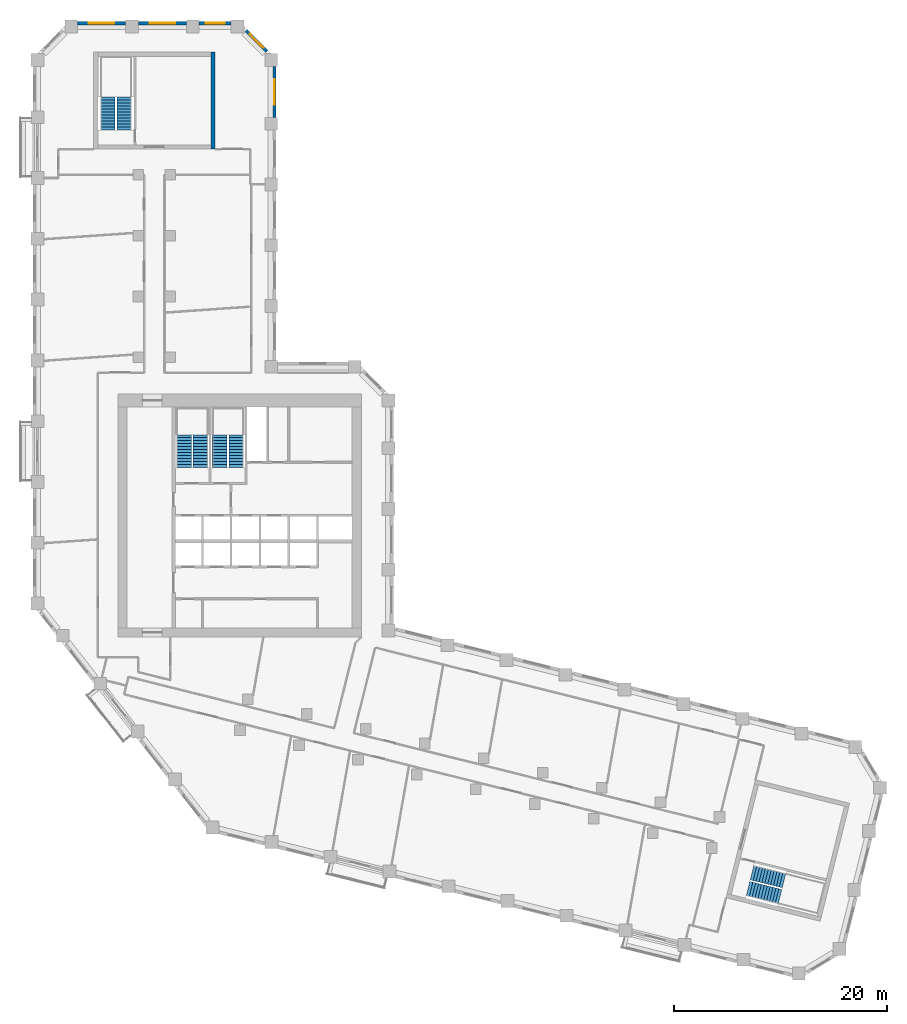
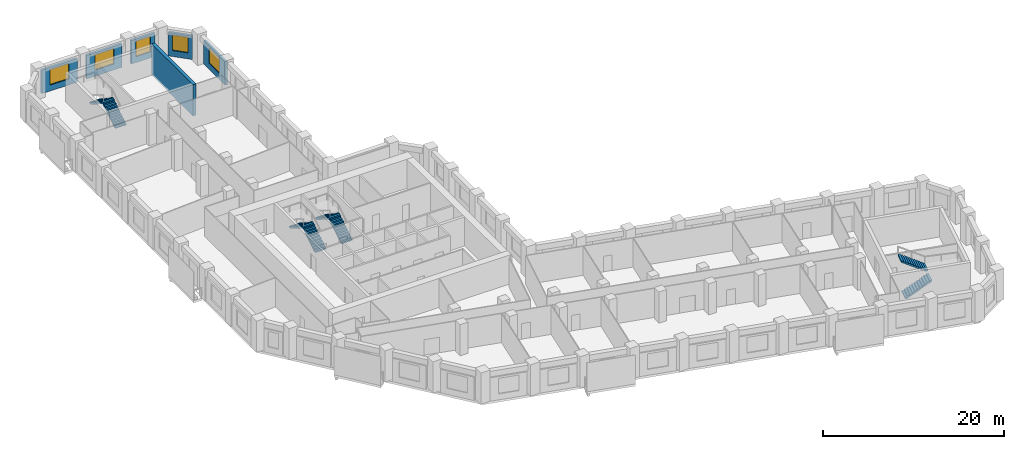
# One storey, part 9 of 10: 8 stair flights, 6 walls, 5 windows, 5 openings, 4 elements without a shape of their own.
"""IFC4 building model written with IfcOpenShell, lengths in metres."""

import ifcopenshell
import ifcopenshell.guid

model = None  # the IFC model being written
_history = None  # IfcOwnerHistory: only IFC2X3 demands one
_inside = {}  # id of a spatial element -> (the spatial element, [elements in it])
_under = {}  # id of a project, library or spatial element -> (it, [spatial elements below it])
_declared = {}  # id of a project -> (the project, [libraries it declares])
_typed = {}  # id of a type object -> (the type object, [elements of that type])
_made_of = {}  # id of a material, layer set ... -> (it, [elements and type objects made of it])


def new_model(schema):
    """Start an empty IFC model of exactly this schema.

    Asked for "IFC4X3", IfcOpenShell would pick the latest addendum, in which some entities
    have other attributes; the version numbers below select the first issue.
    IFC2X3 requires an IfcOwnerHistory on every rooted entity: one is made here for all.
    """
    global model, _history
    if schema == "IFC4X3":
        model = ifcopenshell.file(schema_version=(4, 3, 0, 0))
    else:
        model = ifcopenshell.file(schema=schema)
    _inside.clear()
    _under.clear()
    _declared.clear()
    _typed.clear()
    _made_of.clear()
    _history = None
    if model.schema == "IFC2X3":
        org = make("IfcOrganization", Name="unknown")
        user = make(
            "IfcPersonAndOrganization",
            ThePerson=make("IfcPerson", FamilyName="unknown"),
            TheOrganization=org,
        )
        app = make(
            "IfcApplication",
            ApplicationDeveloper=org,
            Version="unknown",
            ApplicationFullName="unknown",
            ApplicationIdentifier="unknown",
        )
        _history = make(
            "IfcOwnerHistory",
            OwningUser=user,
            OwningApplication=app,
            ChangeAction="ADDED",
            CreationDate=0,
        )
    return model


def make(cls, **values):
    """One entity of the class cls with the attributes given. An attribute that is None is left unset."""
    return model.create_entity(
        cls, **{name: value for name, value in values.items() if value is not None}
    )


def rooted(cls, **values):
    """An entity with a GlobalId (a new one), such as an element, a storey or a relation."""
    return make(cls, GlobalId=ifcopenshell.guid.new(), OwnerHistory=_history, **values)


def si_unit(unit_type, name, prefix=None):
    """IfcSIUnit, for example si_unit("LENGTHUNIT", "METRE", prefix="MILLI")."""
    return make("IfcSIUnit", UnitType=unit_type, Prefix=prefix, Name=name)


def assignment(units):
    """IfcUnitAssignment: the units of a project."""
    return None if units is None else make("IfcUnitAssignment", Units=units)


def point(xyz):
    """IfcCartesianPoint."""
    return None if xyz is None else make("IfcCartesianPoint", Coordinates=xyz)


def direction(xyz):
    """IfcDirection."""
    return None if xyz is None else make("IfcDirection", DirectionRatios=xyz)


def frame(location, z_axis=None, x_axis=None):
    """IfcAxis2Placement3D, a coordinate frame: its origin and axes. An axis left out is left unset."""
    return make(
        "IfcAxis2Placement3D",
        Location=point(location),
        Axis=direction(z_axis),
        RefDirection=direction(x_axis),
    )


def frame_2d(location, x_axis=None):
    """IfcAxis2Placement2D, a coordinate frame in the plane: its origin and x axis."""
    return make(
        "IfcAxis2Placement2D", Location=point(location), RefDirection=direction(x_axis)
    )


def origin():
    """The frame at (0, 0, 0) with its axes left unset."""
    return frame((0.0, 0.0, 0.0))


def place(relative_to, where):
    """IfcLocalPlacement: puts the frame where relative to a parent placement (None: the world)."""
    return make(
        "IfcLocalPlacement", PlacementRelTo=relative_to, RelativePlacement=where
    )


def context(
    kind, dimensions, precision=None, world=None, true_north=None, identifier=None
):
    """IfcGeometricRepresentationContext, for example the 3D "Model" context."""
    return make(
        "IfcGeometricRepresentationContext",
        ContextIdentifier=identifier,
        ContextType=kind,
        CoordinateSpaceDimension=dimensions,
        Precision=precision,
        WorldCoordinateSystem=world,
        TrueNorth=true_north,
    )


def subcontext(parent, identifier, kind, view, scale=None):
    """IfcGeometricRepresentationSubContext, for example "Body" below "Model"."""
    return make(
        "IfcGeometricRepresentationSubContext",
        ContextIdentifier=identifier,
        ContextType=kind,
        ParentContext=parent,
        TargetScale=scale,
        TargetView=view,
    )


def project(units=None, contexts=None):
    """IfcProject with its units and contexts."""
    return rooted(
        "IfcProject",
        Name="project",
        RepresentationContexts=contexts,
        UnitsInContext=assignment(units),
    )


def spatial(cls, under=None, at=None, **own):
    """A site, building, storey or space (cls), placed at a placement, below another one or the project."""
    s = rooted(cls, ObjectPlacement=at, **own)
    if under is not None:
        _under.setdefault(under.id(), (under, []))[1].append(s)
    return s


def polyline(points):
    """IfcPolyline through the points."""
    return make("IfcPolyline", Points=[point(p) for p in points])


def profile(cls, at=None, kind="AREA", **sizes):
    """A parametric profile (cls). Its sizes go by their IFC names, for example OverallWidth=200.0."""
    return make(cls, ProfileType=kind, Position=at, **sizes)


def rectangle(**sizes):
    """IfcRectangleProfileDef."""
    return profile("IfcRectangleProfileDef", **sizes)


def outline(outer, holes=None, kind="AREA"):
    """IfcArbitraryClosedProfileDef: a profile drawn as a closed curve; with holes, ...WithVoids."""
    if holes is None:
        return make("IfcArbitraryClosedProfileDef", ProfileType=kind, OuterCurve=outer)
    return make(
        "IfcArbitraryProfileDefWithVoids",
        ProfileType=kind,
        OuterCurve=outer,
        InnerCurves=holes,
    )


def extrude(swept, where, along, depth):
    """IfcExtrudedAreaSolid: the profile swept, set in the frame where, extruded along a direction by depth."""
    return make(
        "IfcExtrudedAreaSolid",
        SweptArea=swept,
        Position=where,
        ExtrudedDirection=direction(along),
        Depth=depth,
    )


def shape(context_of_items, identifier, shape_type, items):
    """IfcShapeRepresentation: the items that make up one representation, for example the "Body"."""
    return make(
        "IfcShapeRepresentation",
        ContextOfItems=context_of_items,
        RepresentationIdentifier=identifier,
        RepresentationType=shape_type,
        Items=items,
    )


def material(Name=None, Category=None):
    """IfcMaterial."""
    return make("IfcMaterial", Name=Name, Category=Category)


def layer(
    of_material, thickness, ventilated=None, Name=None, Category=None, Priority=None
):
    """IfcMaterialLayer: one layer of a wall or slab, of a material (None: an air gap)."""
    return make(
        "IfcMaterialLayer",
        Material=of_material,
        LayerThickness=thickness,
        IsVentilated=ventilated,
        Name=Name,
        Category=Category,
        Priority=Priority,
    )


def layer_set(layers, Name=None):
    """IfcMaterialLayerSet."""
    return make("IfcMaterialLayerSet", MaterialLayers=layers, LayerSetName=Name)


def made_of(thing, what):
    """Note that an element or type object is made of a material, layer set ...; save() writes the relation."""
    if what is not None:
        _made_of.setdefault(what.id(), (what, []))[1].append(thing)
    return thing


def type_object(cls, material=None, **own):
    """A type object (cls), such as IfcWallType, which elements share."""
    return made_of(rooted(cls, **own), material)


def element(
    cls,
    number,
    at=None,
    inside=None,
    cuts=None,
    type_object=None,
    material=None,
    context=None,
    identifier="Body",
    shape_type=None,
    held_by="IfcProductDefinitionShape",
    body=None,
    shapes=None,
    **own,
):
    """One element of the class cls, such as IfcWall. Its Tag is "e" and its number.

    at: its placement. inside: the storey or other place that contains it. cuts: it is an
    opening in that element (IfcRelVoidsElement). A single representation is given by context,
    identifier, shape_type and body (its items); several are given by shapes. held_by: the class
    of the entity that holds the representations. save() writes the other relations.
    """
    e = rooted(cls, Tag="e%d" % number, ObjectPlacement=at, **own)
    if body is not None:
        shapes = [shape(context, identifier, shape_type, body)]
    if shapes is not None:
        e.Representation = make(held_by, Representations=shapes)
    if inside is not None:
        _inside.setdefault(inside.id(), (inside, []))[1].append(e)
    if cuts is not None:
        rooted(
            "IfcRelVoidsElement", RelatingBuildingElement=cuts, RelatedOpeningElement=e
        )
    if type_object is not None:
        _typed.setdefault(type_object.id(), (type_object, []))[1].append(e)
    return made_of(e, material)


def fill(opening, filler):
    """IfcRelFillsElement: the door or window that sits in an opening."""
    return rooted(
        "IfcRelFillsElement",
        RelatingOpeningElement=opening,
        RelatedBuildingElement=filler,
    )


def aggregate(whole, parts):
    """IfcRelAggregates: a whole, such as a stair, and the parts it consists of."""
    return rooted("IfcRelAggregates", RelatingObject=whole, RelatedObjects=parts)


def save(model, path):
    """Write the relations noted so far, then the file.

    IfcRelAggregates (storeys below a building ...), IfcRelContainedInSpatialStructure (elements
    in a storey), IfcRelDefinesByType, IfcRelAssociatesMaterial and IfcRelDeclares: one each for
    every whole, place, type object, material and project.
    """
    for whole, parts in _under.values():
        aggregate(whole, parts)
    for where, things in _inside.values():
        rooted(
            "IfcRelContainedInSpatialStructure",
            RelatedElements=things,
            RelatingStructure=where,
        )
    for kind, things in _typed.values():
        rooted("IfcRelDefinesByType", RelatedObjects=things, RelatingType=kind)
    for what, things in _made_of.values():
        rooted("IfcRelAssociatesMaterial", RelatedObjects=things, RelatingMaterial=what)
    for by, libraries in _declared.values():
        rooted("IfcRelDeclares", RelatingContext=by, RelatedDefinitions=libraries)
    model.write(path)


model = new_model("IFC4")

# Units and contexts
model_context = context("Model", 3, precision=1e-05, world=origin(), true_north=direction((0.0, 1.0)))
body_context = subcontext(model_context, "Body", "Model", "MODEL_VIEW")
ifc_project = project(units=[si_unit("LENGTHUNIT", "METRE"), si_unit("AREAUNIT", "SQUARE_METRE"), si_unit("VOLUMEUNIT", "CUBIC_METRE"), si_unit("PLANEANGLEUNIT", "RADIAN"), si_unit("MASSUNIT", "GRAM", prefix="KILO")], contexts=[model_context])

# Site, building, storey
site_placement = place(None, origin())
site = spatial("IfcSite", under=ifc_project, at=site_placement, CompositionType="ELEMENT")
building_placement = place(site_placement, origin())
building = spatial("IfcBuilding", under=site, at=building_placement, Name="Meshkara Civic Tower", CompositionType="ELEMENT")
storey_placement = place(building_placement, frame((0.0, 0.0, 207.60009765625)))
storey = spatial("IfcBuildingStorey", under=building, at=storey_placement, Name="L47", CompositionType="ELEMENT", Elevation=207.60009765625)

# Wall, opening, window
ifc_material_1 = material(Name="Insulated infill panel with bronze anodised aluminium cladding", Category="aluminium")
ifc_layer_1 = layer(ifc_material_1, 0.300048828125)
ifc_layer_set_1 = layer_set([ifc_layer_1], Name="EXTERNAL INFILL WALL 300")
wall_type_1 = type_object("IfcWallType", Name="EXTERNAL INFILL WALL 300", PredefinedType="SOLIDWALL", material=ifc_layer_set_1)
wall_1_placement = place(storey_placement, frame((22.64990234375, 62.85009765625, 0.0), z_axis=(0.0, 0.0, 1.0), x_axis=(0.0, 1.0, 0.0)))
wall_1 = element("IfcWall", 1, at=wall_1_placement, inside=storey, type_object=wall_type_1, Name="External wall", PredefinedType="SOLIDWALL", context=body_context, shape_type="SweptSolid", body=[
    extrude(rectangle(XDim=4.763916015625, YDim=0.300048828125, at=frame_2d((2.3818359375, 0.0))), origin(), (0.0, 0.0, 1.0), 3.14990234375),
])
opening_1_placement = place(wall_1_placement, frame((1.181884765625, 0.0, 0.800048828125)))
opening_1 = element("IfcOpeningElement", 2, at=opening_1_placement, cuts=wall_1, Name="Opening W7", PredefinedType="OPENING", context=body_context, shape_type="SweptSolid", body=[
    extrude(rectangle(XDim=2.39990234375, YDim=2.10009765625, at=frame_2d((1.199951171875, 1.050048828125))), frame((0.0, 0.159912109375, 0.0), z_axis=(0.0, -1.0, 0.0), x_axis=(1.0, 0.0, 0.0)), (0.0, 0.0, 1.0), 0.320068359375),
])
ifc_material_2 = material(Name="Tinted double glazing", Category="glass")
window_type_1 = type_object("IfcWindowType", Name="WINDOW 2400x2100", PartitioningType="DOUBLE_PANEL_VERTICAL", PredefinedType="WINDOW", material=ifc_material_2)
window_1_placement = place(opening_1_placement, origin())
window_1 = element("IfcWindow", 3, at=window_1_placement, inside=storey, type_object=window_type_1, Name="Window", OverallHeight=2.10009765625, OverallWidth=2.39990234375, PartitioningType="DOUBLE_PANEL_VERTICAL", PredefinedType="WINDOW", context=body_context, shape_type="SweptSolid", body=[
    extrude(rectangle(XDim=2.39990234375, YDim=2.10009765625, at=frame_2d((1.199951171875, 1.050048828125))), frame((0.0, 0.030029296875, 0.0), z_axis=(0.0, -1.0, 0.0), x_axis=(1.0, 0.0, 0.0)), (0.0, 0.0, 1.0), 0.06005859375),
])
fill(opening_1, window_1)

wall_2_placement = place(storey_placement, frame((21.9619140625, 69.02587890625, 0.0), z_axis=(0.0, 0.0, 1.0), x_axis=(-0.707062649074, 0.707150910545, 0.0)))
wall_2 = element("IfcWall", 4, at=wall_2_placement, inside=storey, type_object=wall_type_1, Name="External wall", PredefinedType="SOLIDWALL", context=body_context, shape_type="SweptSolid", body=[
    extrude(rectangle(XDim=2.76611328125, YDim=0.300048828125, at=frame_2d((1.383056640625, 0.0))), origin(), (0.0, 0.0, 1.0), 3.14990234375),
])
opening_2_placement = place(wall_2_placement, frame((0.48291015625, 0.0, 0.800048828125)))
opening_2 = element("IfcOpeningElement", 5, at=opening_2_placement, cuts=wall_2, Name="Opening W9", PredefinedType="OPENING", context=body_context, shape_type="SweptSolid", body=[
    extrude(rectangle(XDim=1.800048828125, YDim=2.10009765625, at=frame_2d((0.89990234375, 1.050048828125))), frame((0.0, 0.159912109375, 0.0), z_axis=(0.0, -1.0, 0.0), x_axis=(1.0, 0.0, 0.0)), (0.0, 0.0, 1.0), 0.320068359375),
])
ifc_material_3 = material(Name="Tinted double glazing", Category="glass")
window_type_2 = type_object("IfcWindowType", Name="WINDOW 1800x2100", PartitioningType="DOUBLE_PANEL_VERTICAL", PredefinedType="WINDOW", material=ifc_material_3)
window_2_placement = place(opening_2_placement, origin())
window_2 = element("IfcWindow", 6, at=window_2_placement, inside=storey, type_object=window_type_2, Name="Window", OverallHeight=2.10009765625, OverallWidth=1.800048828125, PartitioningType="DOUBLE_PANEL_VERTICAL", PredefinedType="WINDOW", context=body_context, shape_type="SweptSolid", body=[
    extrude(rectangle(XDim=1.800048828125, YDim=2.10009765625, at=frame_2d((0.89990234375, 1.050048828125))), frame((0.0, 0.030029296875, 0.0), z_axis=(0.0, -1.0, 0.0), x_axis=(1.0, 0.0, 0.0)), (0.0, 0.0, 1.0), 0.06005859375),
])
fill(opening_2, window_2)

wall_3_placement = place(storey_placement, frame((18.593994140625, 71.669921875, 0.0), z_axis=(0.0, 0.0, 1.0), x_axis=(-1.0, 0.0, 0.0)))
wall_3 = element("IfcWall", 7, at=wall_3_placement, inside=storey, type_object=wall_type_1, Name="External wall", PredefinedType="SOLIDWALL", context=body_context, shape_type="SweptSolid", body=[
    extrude(rectangle(XDim=2.988037109375, YDim=0.300048828125, at=frame_2d((1.494140625, 0.0))), origin(), (0.0, 0.0, 1.0), 3.14990234375),
])
opening_3_placement = place(wall_3_placement, frame((0.593994140625, 0.0, 0.800048828125)))
opening_3 = element("IfcOpeningElement", 8, at=opening_3_placement, cuts=wall_3, Name="Opening W9", PredefinedType="OPENING", context=body_context, shape_type="SweptSolid", body=[
    extrude(rectangle(XDim=1.800048828125, YDim=2.10009765625, at=frame_2d((0.89990234375, 1.050048828125))), frame((0.0, 0.159912109375, 0.0), z_axis=(0.0, -1.0, 0.0), x_axis=(1.0, 0.0, 0.0)), (0.0, 0.0, 1.0), 0.320068359375),
])
window_3_placement = place(opening_3_placement, origin())
window_3 = element("IfcWindow", 9, at=window_3_placement, inside=storey, type_object=window_type_2, Name="Window", OverallHeight=2.10009765625, OverallWidth=1.800048828125, PartitioningType="DOUBLE_PANEL_VERTICAL", PredefinedType="WINDOW", context=body_context, shape_type="SweptSolid", body=[
    extrude(rectangle(XDim=1.800048828125, YDim=2.10009765625, at=frame_2d((0.89990234375, 1.050048828125))), frame((0.0, 0.030029296875, 0.0), z_axis=(0.0, -1.0, 0.0), x_axis=(1.0, 0.0, 0.0)), (0.0, 0.0, 1.0), 0.06005859375),
])
fill(opening_3, window_3)

wall_4_placement = place(storey_placement, frame((14.406005859375, 71.669921875, 0.0), z_axis=(0.0, 0.0, 1.0), x_axis=(-1.0, 0.0, 0.0)))
wall_4 = element("IfcWall", 10, at=wall_4_placement, inside=storey, type_object=wall_type_1, Name="External wall", PredefinedType="SOLIDWALL", context=body_context, shape_type="SweptSolid", body=[
    extrude(rectangle(XDim=4.5, YDim=0.300048828125, at=frame_2d((2.25, 0.0))), origin(), (0.0, 0.0, 1.0), 3.14990234375),
])
opening_4_placement = place(wall_4_placement, frame((1.050048828125, 0.0, 0.800048828125)))
opening_4 = element("IfcOpeningElement", 11, at=opening_4_placement, cuts=wall_4, Name="Opening W7", PredefinedType="OPENING", context=body_context, shape_type="SweptSolid", body=[
    extrude(rectangle(XDim=2.39990234375, YDim=2.10009765625, at=frame_2d((1.199951171875, 1.050048828125))), frame((0.0, 0.159912109375, 0.0), z_axis=(0.0, -1.0, 0.0), x_axis=(1.0, 0.0, 0.0)), (0.0, 0.0, 1.0), 0.320068359375),
])
window_4_placement = place(opening_4_placement, origin())
window_4 = element("IfcWindow", 12, at=window_4_placement, inside=storey, type_object=window_type_1, Name="Window", OverallHeight=2.10009765625, OverallWidth=2.39990234375, PartitioningType="DOUBLE_PANEL_VERTICAL", PredefinedType="WINDOW", context=body_context, shape_type="SweptSolid", body=[
    extrude(rectangle(XDim=2.39990234375, YDim=2.10009765625, at=frame_2d((1.199951171875, 1.050048828125))), frame((0.0, 0.030029296875, 0.0), z_axis=(0.0, -1.0, 0.0), x_axis=(1.0, 0.0, 0.0)), (0.0, 0.0, 1.0), 0.06005859375),
])
fill(opening_4, window_4)

wall_5_placement = place(storey_placement, frame((8.7060546875, 71.669921875, 0.0), z_axis=(0.0, 0.0, 1.0), x_axis=(-1.0, 0.0, 0.0)))
wall_5 = element("IfcWall", 13, at=wall_5_placement, inside=storey, type_object=wall_type_1, Name="External wall", PredefinedType="SOLIDWALL", context=body_context, shape_type="SweptSolid", body=[
    extrude(rectangle(XDim=4.5, YDim=0.300048828125, at=frame_2d((2.25, 0.0))), origin(), (0.0, 0.0, 1.0), 3.14990234375),
])
opening_5_placement = place(wall_5_placement, frame((1.050048828125, 0.0, 0.800048828125)))
opening_5 = element("IfcOpeningElement", 14, at=opening_5_placement, cuts=wall_5, Name="Opening W7", PredefinedType="OPENING", context=body_context, shape_type="SweptSolid", body=[
    extrude(rectangle(XDim=2.39990234375, YDim=2.10009765625, at=frame_2d((1.199951171875, 1.050048828125))), frame((0.0, 0.159912109375, 0.0), z_axis=(0.0, -1.0, 0.0), x_axis=(1.0, 0.0, 0.0)), (0.0, 0.0, 1.0), 0.320068359375),
])
window_5_placement = place(opening_5_placement, origin())
window_5 = element("IfcWindow", 15, at=window_5_placement, inside=storey, type_object=window_type_1, Name="Window", OverallHeight=2.10009765625, OverallWidth=2.39990234375, PartitioningType="DOUBLE_PANEL_VERTICAL", PredefinedType="WINDOW", context=body_context, shape_type="SweptSolid", body=[
    extrude(rectangle(XDim=2.39990234375, YDim=2.10009765625, at=frame_2d((1.199951171875, 1.050048828125))), frame((0.0, 0.030029296875, 0.0), z_axis=(0.0, -1.0, 0.0), x_axis=(1.0, 0.0, 0.0)), (0.0, 0.0, 1.0), 0.06005859375),
])
fill(opening_5, window_5)

# Wall
ifc_material_4 = material(Name="Concrete C70", Category="concrete")
ifc_layer_2 = layer(ifc_material_4, 0.39990234375)
ifc_layer_set_2 = layer_set([ifc_layer_2], Name="End core ring wall 400 C70")
wall_type_2 = type_object("IfcWallType", Name="End core ring wall 400 C70", PredefinedType="SHEAR", material=ifc_layer_set_2)
wall_6_placement = place(storey_placement, frame((16.89990234375, 59.8701171875, -0.300048828125), z_axis=(0.0, 0.0, 1.0), x_axis=(0.0, 1.0, 0.0)))
element("IfcWall", 16, at=wall_6_placement, inside=storey, type_object=wall_type_2, Name="L47-C024", PredefinedType="SHEAR", context=body_context, shape_type="SweptSolid", body=[
    extrude(rectangle(XDim=9.099853515625, YDim=0.39990234375, at=frame_2d((4.5498046875, 0.0))), origin(), (0.0, 0.0, 1.0), 4.199951171875),
])

# Stair, stair flights
ifc_material_5 = material(Name="Precast concrete C40/50", Category="concrete")
stair_type = type_object("IfcStairType", Name="Exit stair half-turn 24 risers precast", PredefinedType="HALF_TURN_STAIR", material=ifc_material_5)
stair_1_placement = place(storey_placement, origin())
stair_1 = element("IfcStair", 17, at=stair_1_placement, inside=storey, type_object=stair_type, Name="L47 exit stair 1", PredefinedType="HALF_TURN_STAIR")
ifc_material_6 = material(Name="Precast concrete C40/50", Category="concrete")
stair_flight_type = type_object("IfcStairFlightType", Name="Exit stair flight 12 risers precast", PredefinedType="STRAIGHT", material=ifc_material_6)
stair_flight_1_placement = place(storey_placement, frame((15.72509765625, 30.0, 0.0), z_axis=(0.0, 0.0, 1.0), x_axis=(0.0, 1.0, 0.0)))
stair_flight_1 = element("IfcStairFlight", 18, at=stair_flight_1_placement, type_object=stair_flight_type, Name="ST1 flight 1", NumberOfRisers=12, NumberOfTreads=11, PredefinedType="STRAIGHT", RiserHeight=0.175, TreadLength=0.28, context=body_context, shape_type="SweptSolid", body=[
    extrude(outline(polyline([(0.0, 0.0), (0.0, 0.175048828125), (0.280029296875, 0.175048828125), (0.280029296875, 0.35009765625), (0.56005859375, 0.35009765625), (0.56005859375, 0.52490234375), (0.840087890625, 0.52490234375), (0.840087890625, 0.699951171875), (1.1201171875, 0.699951171875), (1.1201171875, 0.875), (1.39990234375, 0.875), (1.39990234375, 1.050048828125), (1.679931640625, 1.050048828125), (1.679931640625, 1.22509765625), (1.9599609375, 1.22509765625), (1.9599609375, 1.39990234375), (2.239990234375, 1.39990234375), (2.239990234375, 1.574951171875), (2.52001953125, 1.574951171875), (2.52001953125, 1.75), (2.800048828125, 1.75), (2.800048828125, 1.925048828125), (3.080078125, 1.925048828125), (3.080078125, 2.10009765625), (3.080078125, 1.748291015625), (0.28271484375, 0.0), (0.0, 0.0)])), frame((0.0, 0.699951171875, 0.0), z_axis=(0.0, -1.0, 0.0), x_axis=(1.0, 0.0, 0.0)), (0.0, 0.0, 1.0), 1.39990234375),
])
stair_flight_2_placement = place(storey_placement, frame((14.175048828125, 33.080078125, 2.099853515625), z_axis=(0.0, 0.0, 1.0), x_axis=(0.0, -1.0, 0.0)))
stair_flight_2 = element("IfcStairFlight", 19, at=stair_flight_2_placement, type_object=stair_flight_type, Name="ST1 flight 2", NumberOfRisers=12, NumberOfTreads=11, PredefinedType="STRAIGHT", RiserHeight=0.175, TreadLength=0.28, context=body_context, shape_type="SweptSolid", body=[
    extrude(outline(polyline([(0.0, 0.0), (0.0, 0.175048828125), (0.280029296875, 0.175048828125), (0.280029296875, 0.35009765625), (0.56005859375, 0.35009765625), (0.56005859375, 0.52490234375), (0.840087890625, 0.52490234375), (0.840087890625, 0.699951171875), (1.1201171875, 0.699951171875), (1.1201171875, 0.875), (1.39990234375, 0.875), (1.39990234375, 1.050048828125), (1.679931640625, 1.050048828125), (1.679931640625, 1.22509765625), (1.9599609375, 1.22509765625), (1.9599609375, 1.39990234375), (2.239990234375, 1.39990234375), (2.239990234375, 1.574951171875), (2.52001953125, 1.574951171875), (2.52001953125, 1.75), (2.800048828125, 1.75), (2.800048828125, 1.925048828125), (3.080078125, 1.925048828125), (3.080078125, 2.10009765625), (3.080078125, 1.748291015625), (0.28271484375, 0.0), (0.0, 0.0)])), frame((0.0, 0.699951171875, 0.0), z_axis=(0.0, -1.0, 0.0), x_axis=(1.0, 0.0, 0.0)), (0.0, 0.0, 1.0), 1.39990234375),
])
aggregate(stair_1, [stair_flight_1, stair_flight_2])

stair_2_placement = place(storey_placement, origin())
stair_2 = element("IfcStair", 20, at=stair_2_placement, inside=storey, type_object=stair_type, Name="L47 exit stair 2", PredefinedType="HALF_TURN_STAIR")
stair_flight_3_placement = place(storey_placement, frame((19.074951171875, 30.0, 0.0), z_axis=(0.0, 0.0, 1.0), x_axis=(0.0, 1.0, 0.0)))
stair_flight_3 = element("IfcStairFlight", 21, at=stair_flight_3_placement, type_object=stair_flight_type, Name="ST2 flight 1", NumberOfRisers=12, NumberOfTreads=11, PredefinedType="STRAIGHT", RiserHeight=0.175, TreadLength=0.28, context=body_context, shape_type="SweptSolid", body=[
    extrude(outline(polyline([(0.0, 0.0), (0.0, 0.175048828125), (0.280029296875, 0.175048828125), (0.280029296875, 0.35009765625), (0.56005859375, 0.35009765625), (0.56005859375, 0.52490234375), (0.840087890625, 0.52490234375), (0.840087890625, 0.699951171875), (1.1201171875, 0.699951171875), (1.1201171875, 0.875), (1.39990234375, 0.875), (1.39990234375, 1.050048828125), (1.679931640625, 1.050048828125), (1.679931640625, 1.22509765625), (1.9599609375, 1.22509765625), (1.9599609375, 1.39990234375), (2.239990234375, 1.39990234375), (2.239990234375, 1.574951171875), (2.52001953125, 1.574951171875), (2.52001953125, 1.75), (2.800048828125, 1.75), (2.800048828125, 1.925048828125), (3.080078125, 1.925048828125), (3.080078125, 2.10009765625), (3.080078125, 1.748291015625), (0.28271484375, 0.0), (0.0, 0.0)])), frame((0.0, 0.699951171875, 0.0), z_axis=(0.0, -1.0, 0.0), x_axis=(1.0, 0.0, 0.0)), (0.0, 0.0, 1.0), 1.39990234375),
])
stair_flight_4_placement = place(storey_placement, frame((17.52490234375, 33.080078125, 2.099853515625), z_axis=(0.0, 0.0, 1.0), x_axis=(0.0, -1.0, 0.0)))
stair_flight_4 = element("IfcStairFlight", 22, at=stair_flight_4_placement, type_object=stair_flight_type, Name="ST2 flight 2", NumberOfRisers=12, NumberOfTreads=11, PredefinedType="STRAIGHT", RiserHeight=0.175, TreadLength=0.28, context=body_context, shape_type="SweptSolid", body=[
    extrude(outline(polyline([(0.0, 0.0), (0.0, 0.175048828125), (0.280029296875, 0.175048828125), (0.280029296875, 0.35009765625), (0.56005859375, 0.35009765625), (0.56005859375, 0.52490234375), (0.840087890625, 0.52490234375), (0.840087890625, 0.699951171875), (1.1201171875, 0.699951171875), (1.1201171875, 0.875), (1.39990234375, 0.875), (1.39990234375, 1.050048828125), (1.679931640625, 1.050048828125), (1.679931640625, 1.22509765625), (1.9599609375, 1.22509765625), (1.9599609375, 1.39990234375), (2.239990234375, 1.39990234375), (2.239990234375, 1.574951171875), (2.52001953125, 1.574951171875), (2.52001953125, 1.75), (2.800048828125, 1.75), (2.800048828125, 1.925048828125), (3.080078125, 1.925048828125), (3.080078125, 2.10009765625), (3.080078125, 1.748291015625), (0.28271484375, 0.0), (0.0, 0.0)])), frame((0.0, 0.699951171875, 0.0), z_axis=(0.0, -1.0, 0.0), x_axis=(1.0, 0.0, 0.0)), (0.0, 0.0, 1.0), 1.39990234375),
])
aggregate(stair_2, [stair_flight_3, stair_flight_4])

stair_3_placement = place(storey_placement, origin())
stair_3 = element("IfcStair", 23, at=stair_3_placement, inside=storey, type_object=stair_type, Name="L47 exit stair A from L35", PredefinedType="HALF_TURN_STAIR")
stair_flight_5_placement = place(storey_placement, frame((8.574951171875, 61.669921875, 0.0), z_axis=(0.0, 0.0, 1.0), x_axis=(0.0, 1.0, 0.0)))
stair_flight_5 = element("IfcStairFlight", 24, at=stair_flight_5_placement, type_object=stair_flight_type, Name="ESA3 flight 1", NumberOfRisers=12, NumberOfTreads=11, PredefinedType="STRAIGHT", RiserHeight=0.175, TreadLength=0.28, context=body_context, shape_type="SweptSolid", body=[
    extrude(outline(polyline([(0.0, 0.0), (0.0, 0.175048828125), (0.280029296875, 0.175048828125), (0.280029296875, 0.35009765625), (0.56005859375, 0.35009765625), (0.56005859375, 0.52490234375), (0.840087890625, 0.52490234375), (0.840087890625, 0.699951171875), (1.1201171875, 0.699951171875), (1.1201171875, 0.875), (1.39990234375, 0.875), (1.39990234375, 1.050048828125), (1.679931640625, 1.050048828125), (1.679931640625, 1.22509765625), (1.9599609375, 1.22509765625), (1.9599609375, 1.39990234375), (2.239990234375, 1.39990234375), (2.239990234375, 1.574951171875), (2.52001953125, 1.574951171875), (2.52001953125, 1.75), (2.800048828125, 1.75), (2.800048828125, 1.925048828125), (3.080078125, 1.925048828125), (3.080078125, 2.10009765625), (3.080078125, 1.748291015625), (0.28271484375, 0.0), (0.0, 0.0)])), frame((0.0, 0.699951171875, 0.0), z_axis=(0.0, -1.0, 0.0), x_axis=(1.0, 0.0, 0.0)), (0.0, 0.0, 1.0), 1.39990234375),
])
stair_flight_6_placement = place(storey_placement, frame((7.02490234375, 64.75, 2.099853515625), z_axis=(0.0, 0.0, 1.0), x_axis=(0.0, -1.0, 0.0)))
stair_flight_6 = element("IfcStairFlight", 25, at=stair_flight_6_placement, type_object=stair_flight_type, Name="ESA3 flight 2", NumberOfRisers=12, NumberOfTreads=11, PredefinedType="STRAIGHT", RiserHeight=0.175, TreadLength=0.28, context=body_context, shape_type="SweptSolid", body=[
    extrude(outline(polyline([(0.0, 0.0), (0.0, 0.175048828125), (0.280029296875, 0.175048828125), (0.280029296875, 0.35009765625), (0.56005859375, 0.35009765625), (0.56005859375, 0.52490234375), (0.840087890625, 0.52490234375), (0.840087890625, 0.699951171875), (1.1201171875, 0.699951171875), (1.1201171875, 0.875), (1.39990234375, 0.875), (1.39990234375, 1.050048828125), (1.679931640625, 1.050048828125), (1.679931640625, 1.22509765625), (1.9599609375, 1.22509765625), (1.9599609375, 1.39990234375), (2.239990234375, 1.39990234375), (2.239990234375, 1.574951171875), (2.52001953125, 1.574951171875), (2.52001953125, 1.75), (2.800048828125, 1.75), (2.800048828125, 1.925048828125), (3.080078125, 1.925048828125), (3.080078125, 2.10009765625), (3.080078125, 1.748291015625), (0.28271484375, 0.0), (0.0, 0.0)])), frame((0.0, 0.699951171875, 0.0), z_axis=(0.0, -1.0, 0.0), x_axis=(1.0, 0.0, 0.0)), (0.0, 0.0, 1.0), 1.39990234375),
])
aggregate(stair_3, [stair_flight_5, stair_flight_6])

stair_4_placement = place(storey_placement, origin())
stair_4 = element("IfcStair", 26, at=stair_4_placement, inside=storey, type_object=stair_type, Name="L47 exit stair B from L35", PredefinedType="HALF_TURN_STAIR")
stair_flight_7_placement = place(storey_placement, frame((67.068115234375, -9.4814453125, 0.0), z_axis=(0.0, 0.0, 1.0), x_axis=(0.9703185901, -0.241830175344, 0.0)))
stair_flight_7 = element("IfcStairFlight", 27, at=stair_flight_7_placement, type_object=stair_flight_type, Name="ESB3 flight 1", NumberOfRisers=12, NumberOfTreads=11, PredefinedType="STRAIGHT", RiserHeight=0.175, TreadLength=0.28, context=body_context, shape_type="SweptSolid", body=[
    extrude(outline(polyline([(0.0, 0.0), (0.0, 0.175048828125), (0.280029296875, 0.175048828125), (0.280029296875, 0.35009765625), (0.56005859375, 0.35009765625), (0.56005859375, 0.52490234375), (0.840087890625, 0.52490234375), (0.840087890625, 0.699951171875), (1.1201171875, 0.699951171875), (1.1201171875, 0.875), (1.39990234375, 0.875), (1.39990234375, 1.050048828125), (1.679931640625, 1.050048828125), (1.679931640625, 1.22509765625), (1.9599609375, 1.22509765625), (1.9599609375, 1.39990234375), (2.239990234375, 1.39990234375), (2.239990234375, 1.574951171875), (2.52001953125, 1.574951171875), (2.52001953125, 1.75), (2.800048828125, 1.75), (2.800048828125, 1.925048828125), (3.080078125, 1.925048828125), (3.080078125, 2.10009765625), (3.080078125, 1.748291015625), (0.28271484375, 0.0), (0.0, 0.0)])), frame((0.0, 0.699951171875, 0.0), z_axis=(0.0, -1.0, 0.0), x_axis=(1.0, 0.0, 0.0)), (0.0, 0.0, 1.0), 1.39990234375),
])
stair_flight_8_placement = place(storey_placement, frame((70.431396484375, -8.722412109375, 2.099853515625), z_axis=(0.0, 0.0, 1.0), x_axis=(-0.9703185901, 0.241830175344, 0.0)))
stair_flight_8 = element("IfcStairFlight", 28, at=stair_flight_8_placement, type_object=stair_flight_type, Name="ESB3 flight 2", NumberOfRisers=12, NumberOfTreads=11, PredefinedType="STRAIGHT", RiserHeight=0.175, TreadLength=0.28, context=body_context, shape_type="SweptSolid", body=[
    extrude(outline(polyline([(0.0, 0.0), (0.0, 0.175048828125), (0.280029296875, 0.175048828125), (0.280029296875, 0.35009765625), (0.56005859375, 0.35009765625), (0.56005859375, 0.52490234375), (0.840087890625, 0.52490234375), (0.840087890625, 0.699951171875), (1.1201171875, 0.699951171875), (1.1201171875, 0.875), (1.39990234375, 0.875), (1.39990234375, 1.050048828125), (1.679931640625, 1.050048828125), (1.679931640625, 1.22509765625), (1.9599609375, 1.22509765625), (1.9599609375, 1.39990234375), (2.239990234375, 1.39990234375), (2.239990234375, 1.574951171875), (2.52001953125, 1.574951171875), (2.52001953125, 1.75), (2.800048828125, 1.75), (2.800048828125, 1.925048828125), (3.080078125, 1.925048828125), (3.080078125, 2.10009765625), (3.080078125, 1.748291015625), (0.28271484375, 0.0), (0.0, 0.0)])), frame((0.0, 0.699951171875, 0.0), z_axis=(0.0, -1.0, 0.0), x_axis=(1.0, 0.0, 0.0)), (0.0, 0.0, 1.0), 1.39990234375),
])
aggregate(stair_4, [stair_flight_7, stair_flight_8])

save(model, "model.ifc")
